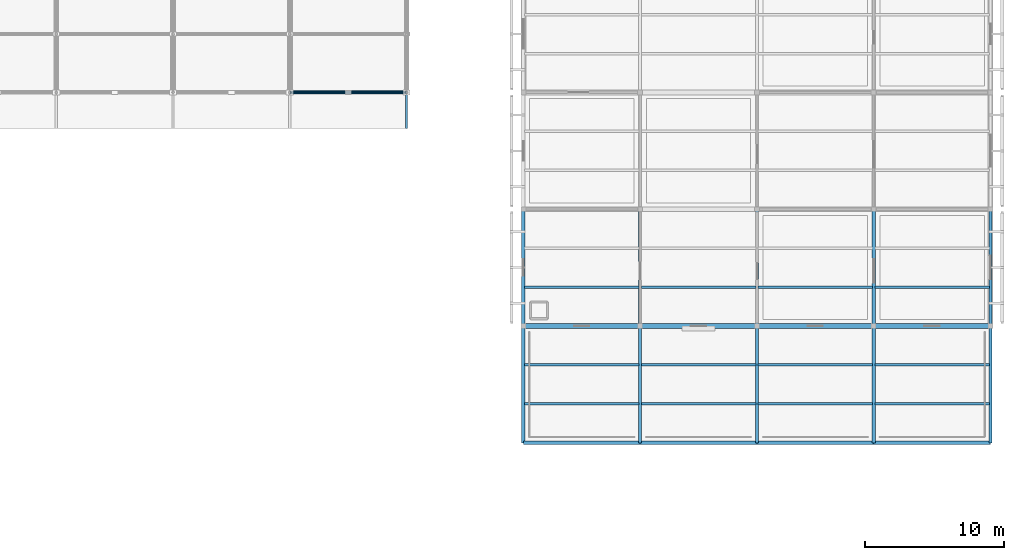
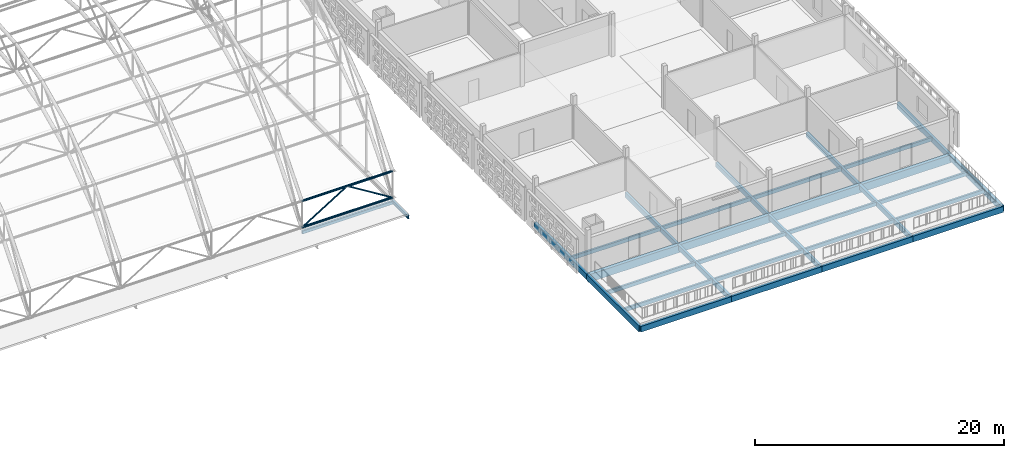
# One storey, part 52 of 103: 32 beams, 4 members.
"""IFC4 building model written with IfcOpenShell, lengths in metres."""

from ifc_helpers import new_model, si_unit, direction, frame, origin, origin_2d, place, context, subcontext, project, spatial, rectangle, hollow_rectangle, hollow_circle, i_section, extrude, material, material_profile, profile_set, type_object, element, save


model = new_model("IFC4")

# Units and contexts
model_context = context("Model", 3, precision=1e-05, world=origin(), true_north=direction((0.0, 1.0)))
body_context = subcontext(model_context, "Body", "Model", "MODEL_VIEW")
ifc_project = project(units=[si_unit("LENGTHUNIT", "METRE"), si_unit("AREAUNIT", "SQUARE_METRE"), si_unit("VOLUMEUNIT", "CUBIC_METRE"), si_unit("PLANEANGLEUNIT", "RADIAN"), si_unit("MASSUNIT", "GRAM", prefix="KILO")], contexts=[model_context])

# Site, building, storey
site_placement = place(None, origin())
site = spatial("IfcSite", under=ifc_project, at=site_placement, CompositionType="ELEMENT")
building_placement = place(site_placement, origin())
building = spatial("IfcBuilding", under=site, at=building_placement, Name="Varnapada Polytechnic", CompositionType="ELEMENT")
storey_placement = place(building_placement, frame((0.0, 0.0, 18.0)))
storey = spatial("IfcBuildingStorey", under=building, at=storey_placement, Name="L04", CompositionType="ELEMENT", Elevation=18.0)

# Beams
ifc_material_1 = material(Name="Glulam GL32h", Category="wood")
ifc_material_profile_1 = material_profile(ifc_material_1, rectangle(XDim=0.340087890625, YDim=0.760009765625, at=origin_2d()), Name="GL 340x760")
ifc_profile_set_1 = profile_set([ifc_material_profile_1], Name="Glulam GL32h")
beam_type_1 = type_object("IfcBeamType", Name="Archive stack glulam girder GG-07 (GL 340x760)", PredefinedType="BEAM", material=ifc_profile_set_1)
beam_1_placement = place(storey_placement, frame((142.800048828125, 67.199951171875, -0.610107421875), z_axis=(1.0, 0.0, 0.0), x_axis=(0.0, 1.0, 0.0)))
element("IfcBeam", 1, at=beam_1_placement, inside=storey, type_object=beam_type_1, Name="L04 beam X 18-19 at Y9", PredefinedType="BEAM", context=body_context, shape_type="SweptSolid", body=[
    extrude(rectangle(XDim=0.340087890625, YDim=0.760009765625, at=origin_2d()), origin(), (0.0, 0.0, 1.0), 8.39990234375),
])
beam_2_placement = place(storey_placement, frame((151.199951171875, 67.199951171875, -0.610107421875), z_axis=(1.0, 0.0, 0.0), x_axis=(0.0, 1.0, 0.0)))
element("IfcBeam", 2, at=beam_2_placement, inside=storey, type_object=beam_type_1, Name="L04 beam X 19-20 at Y9", PredefinedType="BEAM", context=body_context, shape_type="SweptSolid", body=[
    extrude(rectangle(XDim=0.340087890625, YDim=0.760009765625, at=origin_2d()), origin(), (0.0, 0.0, 1.0), 8.400146484375),
])
for number, where, z_axis, x_axis, name in (
    (3, (159.60009765625, 67.199951171875, -0.610107421875), (1.0, 0.0, 0.0), (0.0, 1.0, 0.0), "L04 beam X 20-21 at Y9"),
    (4, (168.0, 67.199951171875, -0.610107421875), (1.0, 0.0, 0.0), (0.0, 1.0, 0.0), "L04 beam X 21-22 at Y9"),
):
    element("IfcBeam", number, at=place(storey_placement, frame(where, z_axis=z_axis, x_axis=x_axis)), inside=storey, type_object=beam_type_1, Name=name, PredefinedType="BEAM", context=body_context, shape_type="SweptSolid", body=[
        extrude(rectangle(XDim=0.340087890625, YDim=0.760009765625, at=origin_2d()), origin(), (0.0, 0.0, 1.0), 8.39990234375),
    ])
ifc_material_2 = material(Name="Steel S355", Category="steel")
ifc_material_profile_2 = material_profile(ifc_material_2, i_section(OverallWidth=0.159912109375, OverallDepth=0.330078125, WebThickness=0.007568359375, FlangeThickness=0.011474609375, FilletRadius=0.01806640625, at=origin_2d()), Name="IPE 330")
ifc_profile_set_2 = profile_set([ifc_material_profile_2], Name="Steel S355")
beam_type_2 = type_object("IfcBeamType", Name="Clerestory monitor steel rafter SB-07 (IPE 330)", PredefinedType="BEAM", material=ifc_profile_set_2)
beam_3_placement = place(storey_placement, frame((134.39990234375, 84.0, -0.35009765625), z_axis=(0.0, -1.0, 0.0), x_axis=(1.0, 0.0, 0.0)))
element("IfcBeam", 5, at=beam_3_placement, inside=storey, type_object=beam_type_2, Name="Workshop eave shade outlooker S.11", PredefinedType="BEAM", context=body_context, shape_type="SweptSolid", body=[
    extrude(i_section(OverallWidth=0.159912109375, OverallDepth=0.330078125, WebThickness=0.007568359375, FlangeThickness=0.011474609375, FilletRadius=0.01806640625, at=origin_2d()), origin(), (0.0, 0.0, 1.0), 2.60009765625),
])
ifc_material_profile_3 = material_profile(ifc_material_1, rectangle(XDim=0.239990234375, YDim=0.56005859375, at=origin_2d()), Name="GL 240x560")
ifc_profile_set_3 = profile_set([ifc_material_profile_3], Name="Glulam GL32h")
beam_type_3 = type_object("IfcBeamType", Name="Perimeter glulam spandrel beam SP-02 (GL 240x560)", PredefinedType="SPANDREL", material=ifc_profile_set_3)
beam_4_placement = place(storey_placement, frame((142.800048828125, 58.800048828125, -0.510009765625), z_axis=(1.0, 0.0, 0.0), x_axis=(0.0, 1.0, 0.0)))
element("IfcBeam", 6, at=beam_4_placement, inside=storey, type_object=beam_type_3, Name="L04 beam X 18-19 at Y8", PredefinedType="SPANDREL", context=body_context, shape_type="SweptSolid", body=[
    extrude(rectangle(XDim=0.239990234375, YDim=0.56005859375, at=origin_2d()), origin(), (0.0, 0.0, 1.0), 8.39990234375),
])
beam_5_placement = place(storey_placement, frame((151.199951171875, 58.800048828125, -0.510009765625), z_axis=(1.0, 0.0, 0.0), x_axis=(0.0, 1.0, 0.0)))
element("IfcBeam", 7, at=beam_5_placement, inside=storey, type_object=beam_type_3, Name="L04 beam X 19-20 at Y8", PredefinedType="SPANDREL", context=body_context, shape_type="SweptSolid", body=[
    extrude(rectangle(XDim=0.239990234375, YDim=0.56005859375, at=origin_2d()), origin(), (0.0, 0.0, 1.0), 8.400146484375),
])
for number, where, z_axis, x_axis, name in (
    (8, (159.60009765625, 58.800048828125, -0.510009765625), (1.0, 0.0, 0.0), (0.0, 1.0, 0.0), "L04 beam X 20-21 at Y8"),
    (9, (168.0, 58.800048828125, -0.510009765625), (1.0, 0.0, 0.0), (0.0, 1.0, 0.0), "L04 beam X 21-22 at Y8"),
    (10, (142.800048828125, 58.800048828125, -0.510009765625), (0.0, 1.0, 0.0), (-1.0, 0.0, 0.0), "L04 beam Y 8-9 at X18"),
):
    element("IfcBeam", number, at=place(storey_placement, frame(where, z_axis=z_axis, x_axis=x_axis)), inside=storey, type_object=beam_type_3, Name=name, PredefinedType="SPANDREL", context=body_context, shape_type="SweptSolid", body=[
        extrude(rectangle(XDim=0.239990234375, YDim=0.56005859375, at=origin_2d()), origin(), (0.0, 0.0, 1.0), 8.39990234375),
    ])
beam_6_placement = place(storey_placement, frame((142.800048828125, 67.199951171875, -0.510009765625), z_axis=(0.0, 1.0, 0.0), x_axis=(-1.0, 0.0, 0.0)))
element("IfcBeam", 11, at=beam_6_placement, inside=storey, type_object=beam_type_3, Name="L04 beam Y 9-10 at X18", PredefinedType="SPANDREL", context=body_context, shape_type="SweptSolid", body=[
    extrude(rectangle(XDim=0.239990234375, YDim=0.56005859375, at=origin_2d()), origin(), (0.0, 0.0, 1.0), 8.400146484375),
])
beam_7_placement = place(storey_placement, frame((176.39990234375, 58.800048828125, -0.510009765625), z_axis=(0.0, 1.0, 0.0), x_axis=(-1.0, 0.0, 0.0)))
element("IfcBeam", 12, at=beam_7_placement, inside=storey, type_object=beam_type_3, Name="L04 beam Y 8-9 at X22", PredefinedType="SPANDREL", context=body_context, shape_type="SweptSolid", body=[
    extrude(rectangle(XDim=0.239990234375, YDim=0.56005859375, at=origin_2d()), origin(), (0.0, 0.0, 1.0), 8.39990234375),
])
beam_8_placement = place(storey_placement, frame((176.39990234375, 67.199951171875, -0.510009765625), z_axis=(0.0, 1.0, 0.0), x_axis=(-1.0, 0.0, 0.0)))
element("IfcBeam", 13, at=beam_8_placement, inside=storey, type_object=beam_type_3, Name="L04 beam Y 9-10 at X22", PredefinedType="SPANDREL", context=body_context, shape_type="SweptSolid", body=[
    extrude(rectangle(XDim=0.239990234375, YDim=0.56005859375, at=origin_2d()), origin(), (0.0, 0.0, 1.0), 8.400146484375),
])
ifc_material_profile_4 = material_profile(ifc_material_1, rectangle(XDim=0.179931640625, YDim=0.360107421875, at=origin_2d()), Name="GL 180x360")
ifc_profile_set_4 = profile_set([ifc_material_profile_4], Name="Glulam GL32h")
beam_type_4 = type_object("IfcBeamType", Name="Studio/seminar glulam floor joist GJ-02 (GL 180x360)", PredefinedType="JOIST", material=ifc_profile_set_4)
for number, where, z_axis, x_axis, name in (
    (14, (142.8798828125, 61.60009765625, -0.409912109375), (1.0, 0.0, 0.0), (0.0, 1.0, 0.0), "L04 floor joist 18/8.1"),
    (15, (142.8798828125, 64.39990234375, -0.409912109375), (1.0, 0.0, 0.0), (0.0, 1.0, 0.0), "L04 floor joist 18/8.2"),
    (16, (142.8798828125, 70.0, -0.39990234375), (1.0, 0.0, 0.0), (0.0, 1.0, 0.0), "L04 floor joist 18/9.1"),
):
    element("IfcBeam", number, at=place(storey_placement, frame(where, z_axis=z_axis, x_axis=x_axis)), inside=storey, type_object=beam_type_4, Name=name, PredefinedType="JOIST", context=body_context, shape_type="SweptSolid", body=[
        extrude(rectangle(XDim=0.179931640625, YDim=0.360107421875, at=origin_2d()), origin(), (0.0, 0.0, 1.0), 8.240234375),
    ])
for number, where, z_axis, x_axis, name in (
    (17, (151.280029296875, 61.60009765625, -0.409912109375), (1.0, 0.0, 0.0), (0.0, 1.0, 0.0), "L04 floor joist 19/8.1"),
    (18, (151.280029296875, 64.39990234375, -0.409912109375), (1.0, 0.0, 0.0), (0.0, 1.0, 0.0), "L04 floor joist 19/8.2"),
    (19, (151.280029296875, 70.0, -0.39990234375), (1.0, 0.0, 0.0), (0.0, 1.0, 0.0), "L04 floor joist 19/9.1"),
    (20, (159.679931640625, 61.60009765625, -0.409912109375), (1.0, 0.0, 0.0), (0.0, 1.0, 0.0), "L04 floor joist 20/8.1"),
    (21, (159.679931640625, 64.39990234375, -0.409912109375), (1.0, 0.0, 0.0), (0.0, 1.0, 0.0), "L04 floor joist 20/8.2"),
    (22, (159.679931640625, 70.0, -0.39990234375), (1.0, 0.0, 0.0), (0.0, 1.0, 0.0), "L04 floor joist 20/9.1"),
    (23, (168.080078125, 61.60009765625, -0.409912109375), (1.0, 0.0, 0.0), (0.0, 1.0, 0.0), "L04 floor joist 21/8.1"),
    (24, (168.080078125, 64.39990234375, -0.409912109375), (1.0, 0.0, 0.0), (0.0, 1.0, 0.0), "L04 floor joist 21/8.2"),
    (25, (168.080078125, 70.0, -0.39990234375), (1.0, 0.0, 0.0), (0.0, 1.0, 0.0), "L04 floor joist 21/9.1"),
):
    element("IfcBeam", number, at=place(storey_placement, frame(where, z_axis=z_axis, x_axis=x_axis)), inside=storey, type_object=beam_type_4, Name=name, PredefinedType="JOIST", context=body_context, shape_type="SweptSolid", body=[
        extrude(rectangle(XDim=0.179931640625, YDim=0.360107421875, at=origin_2d()), origin(), (0.0, 0.0, 1.0), 8.239990234375),
    ])
ifc_material_profile_5 = material_profile(ifc_material_1, rectangle(XDim=0.219970703125, YDim=0.47998046875, at=origin_2d()), Name="GL 220x480")
ifc_profile_set_5 = profile_set([ifc_material_profile_5], Name="Glulam GL32h")
beam_type_5 = type_object("IfcBeamType", Name="Upper floor glulam tie beam GB-11 (GL 220x480)", PredefinedType="BEAM", material=ifc_profile_set_5)
beam_9_placement = place(storey_placement, frame((151.199951171875, 58.800048828125, -0.469970703125), z_axis=(0.0, 1.0, 0.0), x_axis=(-1.0, 0.0, 0.0)))
element("IfcBeam", 26, at=beam_9_placement, inside=storey, type_object=beam_type_5, Name="L04 beam Y 8-9 at X19", PredefinedType="BEAM", context=body_context, shape_type="SweptSolid", body=[
    extrude(rectangle(XDim=0.219970703125, YDim=0.47998046875, at=origin_2d()), origin(), (0.0, 0.0, 1.0), 8.39990234375),
])
beam_10_placement = place(storey_placement, frame((151.199951171875, 67.199951171875, -0.469970703125), z_axis=(0.0, 1.0, 0.0), x_axis=(-1.0, 0.0, 0.0)))
element("IfcBeam", 27, at=beam_10_placement, inside=storey, type_object=beam_type_5, Name="L04 beam Y 9-10 at X19", PredefinedType="BEAM", context=body_context, shape_type="SweptSolid", body=[
    extrude(rectangle(XDim=0.219970703125, YDim=0.47998046875, at=origin_2d()), origin(), (0.0, 0.0, 1.0), 8.400146484375),
])
beam_11_placement = place(storey_placement, frame((159.60009765625, 58.800048828125, -0.469970703125), z_axis=(0.0, 1.0, 0.0), x_axis=(-1.0, 0.0, 0.0)))
element("IfcBeam", 28, at=beam_11_placement, inside=storey, type_object=beam_type_5, Name="L04 beam Y 8-9 at X20", PredefinedType="BEAM", context=body_context, shape_type="SweptSolid", body=[
    extrude(rectangle(XDim=0.219970703125, YDim=0.47998046875, at=origin_2d()), origin(), (0.0, 0.0, 1.0), 8.39990234375),
])
beam_12_placement = place(storey_placement, frame((159.60009765625, 67.199951171875, -0.469970703125), z_axis=(0.0, 1.0, 0.0), x_axis=(-1.0, 0.0, 0.0)))
element("IfcBeam", 29, at=beam_12_placement, inside=storey, type_object=beam_type_5, Name="L04 beam Y 9-10 at X20", PredefinedType="BEAM", context=body_context, shape_type="SweptSolid", body=[
    extrude(rectangle(XDim=0.219970703125, YDim=0.47998046875, at=origin_2d()), origin(), (0.0, 0.0, 1.0), 8.400146484375),
])
beam_13_placement = place(storey_placement, frame((168.0, 58.800048828125, -0.469970703125), z_axis=(0.0, 1.0, 0.0), x_axis=(-1.0, 0.0, 0.0)))
element("IfcBeam", 30, at=beam_13_placement, inside=storey, type_object=beam_type_5, Name="L04 beam Y 8-9 at X21", PredefinedType="BEAM", context=body_context, shape_type="SweptSolid", body=[
    extrude(rectangle(XDim=0.219970703125, YDim=0.47998046875, at=origin_2d()), origin(), (0.0, 0.0, 1.0), 8.39990234375),
])
beam_14_placement = place(storey_placement, frame((168.0, 67.199951171875, -0.469970703125), z_axis=(0.0, 1.0, 0.0), x_axis=(-1.0, 0.0, 0.0)))
element("IfcBeam", 31, at=beam_14_placement, inside=storey, type_object=beam_type_5, Name="L04 beam Y 9-10 at X21", PredefinedType="BEAM", context=body_context, shape_type="SweptSolid", body=[
    extrude(rectangle(XDim=0.219970703125, YDim=0.47998046875, at=origin_2d()), origin(), (0.0, 0.0, 1.0), 8.400146484375),
])

# Members
ifc_material_profile_6 = material_profile(ifc_material_2, hollow_circle(Radius=0.122314453125, WallThickness=0.008056640625, at=origin_2d()), Name="CHS 244.5x8.0")
ifc_profile_set_6 = profile_set([ifc_material_profile_6], Name="Steel S355")
member_type_1 = type_object("IfcMemberType", Name="Vaulted space frame longitudinal bottom chord SFC-01 (CHS 244.5x8.0)", PredefinedType="CHORD", material=ifc_profile_set_6)
member_1_placement = place(storey_placement, frame((126.0, 84.0, 0.0), z_axis=(1.0, 0.0, 0.0), x_axis=(0.0, 1.0, 0.0)))
element("IfcMember", 32, at=member_1_placement, inside=storey, type_object=member_type_1, Name="Vaulted space frame longitudinal bottom chord 10.1", PredefinedType="CHORD", context=body_context, shape_type="SweptSolid", body=[
    extrude(hollow_circle(Radius=0.122314453125, WallThickness=0.008056640625, at=origin_2d()), origin(), (0.0, 0.0, 1.0), 8.39990234375),
])
ifc_material_profile_7 = material_profile(ifc_material_2, hollow_circle(Radius=0.109619140625, WallThickness=0.008056640625, at=origin_2d()), Name="CHS 219.1x8.0")
ifc_profile_set_7 = profile_set([ifc_material_profile_7], Name="Steel S355")
member_type_2 = type_object("IfcMemberType", Name="Vaulted space frame longitudinal top chord SFC-02 (CHS 219.1x8.0)", PredefinedType="CHORD", material=ifc_profile_set_7)
member_2_placement = place(storey_placement, frame((126.0, 84.0, 2.60009765625), z_axis=(1.0, 0.0, 0.0), x_axis=(0.0, 1.0, 0.0)))
element("IfcMember", 33, at=member_2_placement, inside=storey, type_object=member_type_2, Name="Vaulted space frame longitudinal top chord 10.1", PredefinedType="CHORD", context=body_context, shape_type="SweptSolid", body=[
    extrude(hollow_circle(Radius=0.109619140625, WallThickness=0.008056640625, at=origin_2d()), origin(), (0.0, 0.0, 1.0), 8.39990234375),
])
ifc_material_profile_8 = material_profile(ifc_material_2, hollow_circle(Radius=0.06982421875, WallThickness=0.0048828125, at=origin_2d()), Name="CHS 139.7x5.0")
ifc_profile_set_8 = profile_set([ifc_material_profile_8], Name="Steel S355")
member_type_3 = type_object("IfcMemberType", Name="Vaulted space frame secondary web diagonal SFB-02 (CHS 139.7x5.0)", PredefinedType="BRACE", material=ifc_profile_set_8)
for number, where, z_axis, x_axis, name in (
    (34, (126.0, 84.0, 0.0), (0.85025356003, 0.0, 0.526373331065), (0.0, 1.0, 0.0), "Vaulted space frame longitudinal brace 10.1A"),
    (35, (134.39990234375, 84.0, 0.0), (-0.85025356003, 0.0, 0.526373331065), (0.0, -1.0, 0.0), "Vaulted space frame longitudinal brace 10.1B"),
):
    element("IfcMember", number, at=place(storey_placement, frame(where, z_axis=z_axis, x_axis=x_axis)), inside=storey, type_object=member_type_3, Name=name, PredefinedType="BRACE", context=body_context, shape_type="SweptSolid", body=[
        extrude(hollow_circle(Radius=0.06982421875, WallThickness=0.0048828125, at=origin_2d()), origin(), (0.0, 0.0, 1.0), 4.939697265625),
    ])

# Beam
ifc_material_profile_9 = material_profile(ifc_material_2, hollow_rectangle(XDim=0.199951171875, YDim=0.300048828125, WallThickness=0.010009765625, InnerFilletRadius=0.010009765625, OuterFilletRadius=0.02001953125, at=origin_2d()), Name="RHS 300x200x10")
ifc_profile_set_9 = profile_set([ifc_material_profile_9], Name="Steel S355")
beam_type_6 = type_object("IfcBeamType", Name="Workshop steel spandrel tie SP-03 (RHS 300x200x10)", PredefinedType="SPANDREL", material=ifc_profile_set_9)
beam_15_placement = place(storey_placement, frame((126.0, 84.0, -0.449951171875), z_axis=(1.0, 0.0, 0.0), x_axis=(0.0, 1.0, 0.0)))
element("IfcBeam", 36, at=beam_15_placement, inside=storey, type_object=beam_type_6, Name="L04 workshop clerestory tie X16-17 Y11", PredefinedType="SPANDREL", context=body_context, shape_type="SweptSolid", body=[
    extrude(hollow_rectangle(XDim=0.199951171875, YDim=0.300048828125, WallThickness=0.010009765625, InnerFilletRadius=0.010009765625, OuterFilletRadius=0.02001953125, at=origin_2d()), origin(), (0.0, 0.0, 1.0), 8.39990234375),
])

save(model, "model.ifc")
